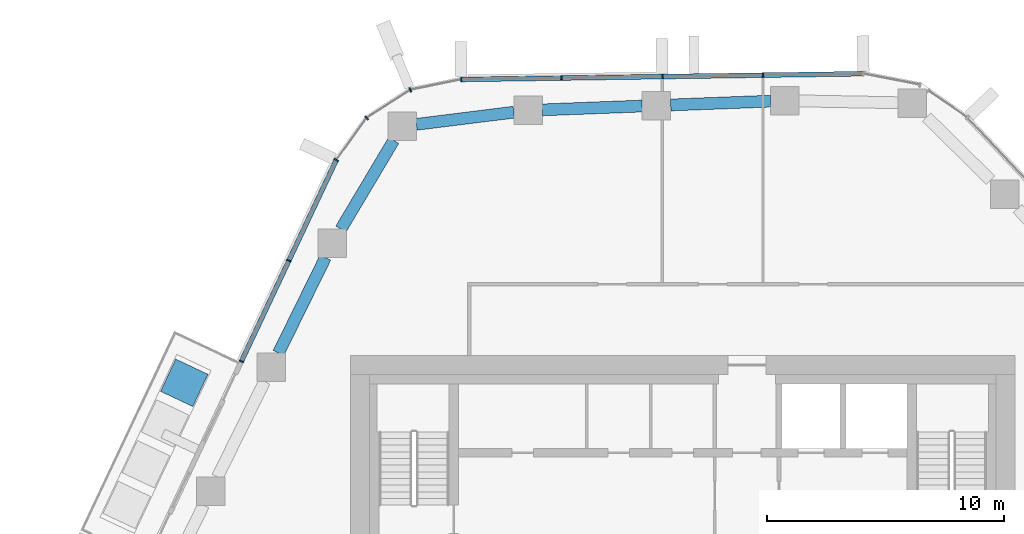
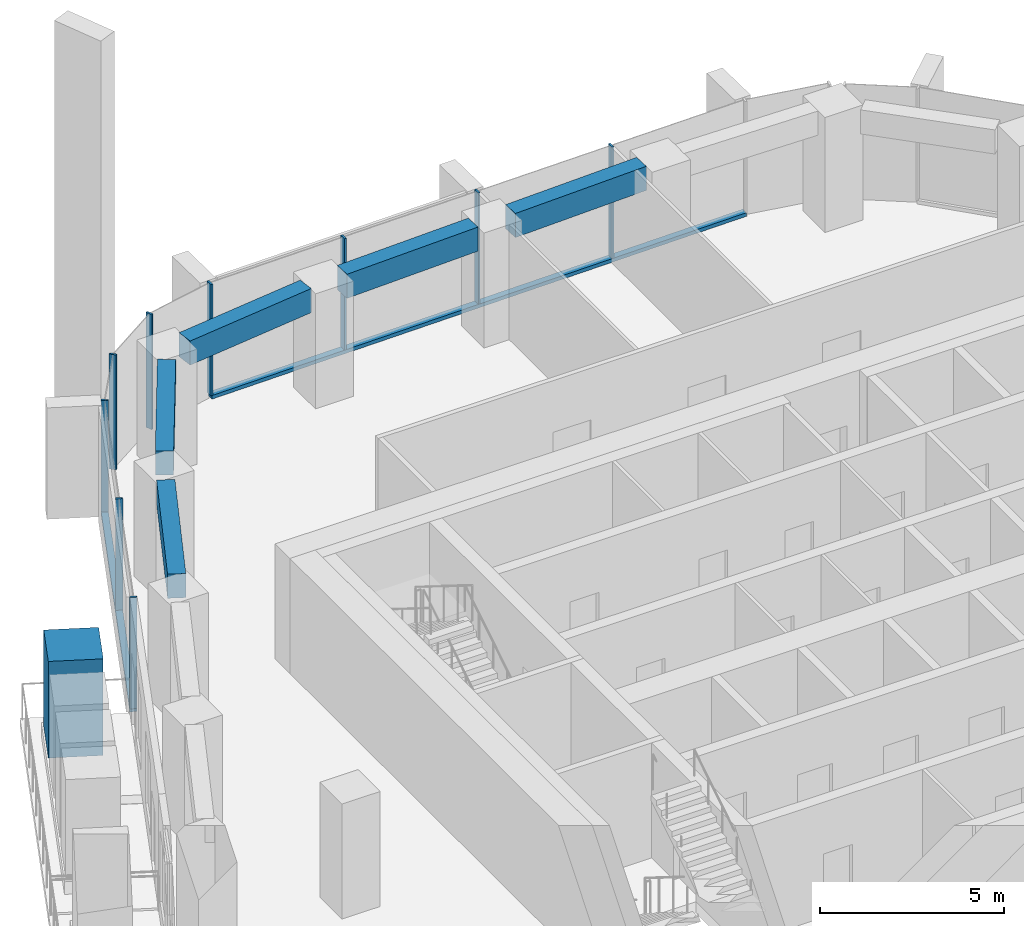
# One storey, part 6 of 18: 12 members, 5 beams, 3 elements without a shape of their own.
"""IFC4 building model written with IfcOpenShell, lengths in metres."""

from ifc_helpers import new_model, si_unit, direction, frame, origin, origin_2d, place, context, subcontext, project, spatial, rectangle, extrude, material, layer, layer_set, material_profile, profile_set, type_object, element, aggregate, save


model = new_model("IFC4")

# Units and contexts
model_context = context("Model", 3, precision=1e-05, world=origin(), true_north=direction((0.0, 1.0)))
body_context = subcontext(model_context, "Body", "Model", "MODEL_VIEW")
ifc_project = project(units=[si_unit("LENGTHUNIT", "METRE"), si_unit("AREAUNIT", "SQUARE_METRE"), si_unit("VOLUMEUNIT", "CUBIC_METRE"), si_unit("PLANEANGLEUNIT", "RADIAN"), si_unit("MASSUNIT", "GRAM", prefix="KILO")], contexts=[model_context])

# Site, building, storey
site_placement = place(None, origin())
site = spatial("IfcSite", under=ifc_project, at=site_placement, CompositionType="ELEMENT")
building_placement = place(site_placement, origin())
building = spatial("IfcBuilding", under=site, at=building_placement, Name="Dongbaek Canopy Tower", CompositionType="ELEMENT")
storey_placement = place(building_placement, frame((0.0, 0.0, 158.60009765625)))
storey = spatial("IfcBuildingStorey", under=building, at=storey_placement, Name="L34", CompositionType="ELEMENT", Elevation=158.60009765625)

# Curtain wall, members
ifc_material_1 = material(Name="Aluminium 6063-T6 pale anodised", Category="aluminium")
ifc_layer = layer(ifc_material_1, 0.199951171875)
ifc_layer_set = layer_set([ifc_layer], Name="CW-1 unitised tower curtain wall")
curtain_wall_type = type_object("IfcCurtainWallType", Name="CW-1 unitised tower curtain wall", PredefinedType="NOTDEFINED", material=ifc_layer_set)
curtain_wall_1_placement = place(storey_placement, origin())
curtain_wall_1 = element("IfcCurtainWall", 1, at=curtain_wall_1_placement, inside=storey, type_object=curtain_wall_type, Name="CW-1 curtain wall F1.1", PredefinedType="NOTDEFINED")
ifc_material_2 = material(Name="Aluminium 6063-T6 pale anodised", Category="aluminium")
ifc_material_profile_1 = material_profile(ifc_material_2, rectangle(XDim=0.199951171875, YDim=0.06005859375, at=origin_2d()), Name="CW-1 mullion 60 x 200")
ifc_profile_set_1 = profile_set([ifc_material_profile_1], Name="Aluminium 6063-T6 pale anodised")
member_type_1 = type_object("IfcMemberType", Name="CW-1 mullion 60 x 200", PredefinedType="MULLION", material=ifc_profile_set_1)
member_1_placement = place(storey_placement, frame((3.375244140625, 22.8095703125, 0.119873046875), z_axis=(0.0, 0.0, 1.0), x_axis=(-0.014277328293, 0.999898073754, 0.0)))
member_1 = element("IfcMember", 2, at=member_1_placement, type_object=member_type_1, Name="CW-1 mullion F1.1.2", PredefinedType="MULLION", context=body_context, shape_type="SweptSolid", body=[
    extrude(rectangle(XDim=0.199951171875, YDim=0.06005859375, at=origin_2d()), origin(), (0.0, 0.0, 1.0), 3.699951171875),
])
member_2_placement = place(storey_placement, frame((-0.864501953125, 22.7490234375, 0.119873046875), z_axis=(0.0, 0.0, 1.0), x_axis=(-0.014277328293, 0.999898073754, 0.0)))
member_2 = element("IfcMember", 3, at=member_2_placement, type_object=member_type_1, Name="CW-1 mullion F1.1.3", PredefinedType="MULLION", context=body_context, shape_type="SweptSolid", body=[
    extrude(rectangle(XDim=0.199951171875, YDim=0.06005859375, at=origin_2d()), origin(), (0.0, 0.0, 1.0), 3.699951171875),
])
member_3_placement = place(storey_placement, frame((-5.104248046875, 22.6884765625, 0.119873046875), z_axis=(0.0, 0.0, 1.0), x_axis=(-0.014277328293, 0.999898073754, 0.0)))
member_3 = element("IfcMember", 4, at=member_3_placement, type_object=member_type_1, Name="CW-1 mullion F1.1.4", PredefinedType="MULLION", context=body_context, shape_type="SweptSolid", body=[
    extrude(rectangle(XDim=0.199951171875, YDim=0.06005859375, at=origin_2d()), origin(), (0.0, 0.0, 1.0), 3.699951171875),
])
member_4_placement = place(storey_placement, frame((-9.334716796875, 22.628173828125, 0.119873046875), z_axis=(0.0, 0.0, 1.0), x_axis=(-0.014277328293, 0.999898073754, 0.0)))
member_4 = element("IfcMember", 5, at=member_4_placement, type_object=member_type_1, Name="CW-1 mullion F1.1.5", PredefinedType="MULLION", context=body_context, shape_type="SweptSolid", body=[
    extrude(rectangle(XDim=0.199951171875, YDim=0.06005859375, at=origin_2d()), origin(), (0.0, 0.0, 1.0), 3.699951171875),
])

curtain_wall_2_placement = place(storey_placement, origin())
curtain_wall_2 = element("IfcCurtainWall", 6, at=curtain_wall_2_placement, inside=storey, type_object=curtain_wall_type, Name="CW-1 curtain wall K2.1", PredefinedType="NOTDEFINED")
member_5_placement = place(storey_placement, frame((-11.482421875, 22.192138671875, 0.0), z_axis=(0.0, 0.0, 1.0), x_axis=(-0.376811935113, 0.926289784871, 0.0)))
member_5 = element("IfcMember", 7, at=member_5_placement, type_object=member_type_1, Name="CW-1 mullion K2.1.2", PredefinedType="MULLION", context=body_context, shape_type="SweptSolid", body=[
    extrude(rectangle(XDim=0.199951171875, YDim=0.06005859375, at=origin_2d()), origin(), (0.0, 0.0, 1.0), 3.81982421875),
])
member_6_placement = place(storey_placement, frame((-13.316650390625, 21.01025390625, 0.0), z_axis=(0.0, 0.0, 1.0), x_axis=(-0.687780008979, 0.725919182312, 0.0)))
member_6 = element("IfcMember", 8, at=member_6_placement, type_object=member_type_1, Name="CW-1 mullion K2.1.3", PredefinedType="MULLION", context=body_context, shape_type="SweptSolid", body=[
    extrude(rectangle(XDim=0.199951171875, YDim=0.06005859375, at=origin_2d()), origin(), (0.0, 0.0, 1.0), 3.81982421875),
])
member_7_placement = place(storey_placement, frame((-14.60107421875, 19.234619140625, 0.0), z_axis=(0.0, 0.0, 1.0), x_axis=(-0.810182611927, 0.586177562972, 0.0)))
member_7 = element("IfcMember", 9, at=member_7_placement, type_object=member_type_1, Name="CW-1 mullion K2.1.4", PredefinedType="MULLION", context=body_context, shape_type="SweptSolid", body=[
    extrude(rectangle(XDim=0.199951171875, YDim=0.06005859375, at=origin_2d()), origin(), (0.0, 0.0, 1.0), 3.81982421875),
])
aggregate(curtain_wall_2, [member_5, member_6, member_7])

curtain_wall_3_placement = place(storey_placement, origin())
curtain_wall_3 = element("IfcCurtainWall", 10, at=curtain_wall_3_placement, inside=storey, type_object=curtain_wall_type, Name="CW-1 curtain wall F2.1", PredefinedType="NOTDEFINED")
member_8_placement = place(storey_placement, frame((-16.59619140625, 15.000244140625, 0.119873046875), z_axis=(0.0, 0.0, 1.0), x_axis=(-0.904625717834, 0.426206887126, 0.0)))
member_8 = element("IfcMember", 11, at=member_8_placement, type_object=member_type_1, Name="CW-1 mullion F2.1.2", PredefinedType="MULLION", context=body_context, shape_type="SweptSolid", body=[
    extrude(rectangle(XDim=0.199951171875, YDim=0.06005859375, at=origin_2d()), origin(), (0.0, 0.0, 1.0), 3.699951171875),
])
member_9_placement = place(storey_placement, frame((-18.59521484375, 10.75732421875, 0.119873046875), z_axis=(0.0, 0.0, 1.0), x_axis=(-0.904625717834, 0.426206887126, 0.0)))
member_9 = element("IfcMember", 12, at=member_9_placement, type_object=member_type_1, Name="CW-1 mullion F2.1.3", PredefinedType="MULLION", context=body_context, shape_type="SweptSolid", body=[
    extrude(rectangle(XDim=0.199951171875, YDim=0.06005859375, at=origin_2d()), origin(), (0.0, 0.0, 1.0), 3.699951171875),
])

# Member
ifc_material_3 = material(Name="Aluminium 6063-T6 pale anodised", Category="aluminium")
ifc_material_profile_2 = material_profile(ifc_material_3, rectangle(XDim=0.199951171875, YDim=0.1201171875, at=origin_2d()), Name="CW-1 transom 120 x 200")
ifc_profile_set_2 = profile_set([ifc_material_profile_2], Name="Aluminium 6063-T6 pale anodised")
member_type_2 = type_object("IfcMemberType", Name="CW-1 transom 120 x 200", PredefinedType="USERDEFINED", material=ifc_profile_set_2)
member_10_placement = place(storey_placement, frame((7.604736328125, 22.869873046875, 0.059814453125), z_axis=(-0.999898221647, -0.014266967016, 0.0), x_axis=(0.014266967016, -0.999898221647, 0.0)))
member_10 = element("IfcMember", 13, at=member_10_placement, type_object=member_type_2, Name="CW-1 transom F1.1.1", ObjectType="TRANSOM", PredefinedType="USERDEFINED", context=body_context, shape_type="SweptSolid", body=[
    extrude(rectangle(XDim=0.199951171875, YDim=0.1201171875, at=origin_2d()), origin(), (0.0, 0.0, 1.0), 16.941162109375),
])

aggregate(curtain_wall_1, [member_1, member_2, member_3, member_4, member_10])

member_11_placement = place(storey_placement, frame((-14.60107421875, 19.234619140625, 0.059814453125), z_axis=(-0.426218553172, -0.904620221381, 0.0), x_axis=(0.904620221381, -0.426218553172, 0.0)))
member_11 = element("IfcMember", 14, at=member_11_placement, type_object=member_type_2, Name="CW-1 transom F2.1.1", ObjectType="TRANSOM", PredefinedType="USERDEFINED", context=body_context, shape_type="SweptSolid", body=[
    extrude(rectangle(XDim=0.199951171875, YDim=0.1201171875, at=origin_2d()), origin(), (0.0, 0.0, 1.0), 9.37109375),
])

aggregate(curtain_wall_3, [member_8, member_9, member_11])

# Beams
ifc_material_4 = material(Name="Concrete C70", Category="concrete")
ifc_material_profile_3 = material_profile(ifc_material_4, rectangle(XDim=0.5, YDim=0.800048828125, at=origin_2d()), Name="RC EDGE BEAM 500x800 C70")
ifc_profile_set_3 = profile_set([ifc_material_profile_3], Name="Concrete C70")
beam_type = type_object("IfcBeamType", Name="RC EDGE BEAM 500x800 C70", PredefinedType="BEAM", material=ifc_profile_set_3)
beam_1_placement = place(storey_placement, frame((-17.032958984375, 11.10498046875, 3.419921875), z_axis=(0.441228982876, 0.89739455351, 0.0), x_axis=(-0.89739455351, 0.441228982876, 0.0)))
element("IfcBeam", 15, at=beam_1_placement, inside=storey, type_object=beam_type, Name="EDGEBEAM:L34:11", PredefinedType="BEAM", context=body_context, shape_type="SweptSolid", body=[
    extrude(rectangle(XDim=0.5, YDim=0.800048828125, at=origin_2d()), origin(), (0.0, 0.0, 1.0), 4.478515625),
])
beam_2_placement = place(storey_placement, frame((-14.40478515625, 16.323974609375, 3.419921875), z_axis=(0.51151247975, 0.859275848061, 0.0), x_axis=(-0.859275848061, 0.51151247975, 0.0)))
element("IfcBeam", 16, at=beam_2_placement, inside=storey, type_object=beam_type, Name="EDGEBEAM:L34:12", PredefinedType="BEAM", context=body_context, shape_type="SweptSolid", body=[
    extrude(rectangle(XDim=0.5, YDim=0.800048828125, at=origin_2d()), origin(), (0.0, 0.0, 1.0), 4.34912109375),
])
beam_3_placement = place(storey_placement, frame((-11.222900390625, 20.73583984375, 3.419921875), z_axis=(0.992289687294, 0.123940213368, 0.0), x_axis=(-0.123940213368, 0.992289687294, 0.0)))
element("IfcBeam", 17, at=beam_3_placement, inside=storey, type_object=beam_type, Name="EDGEBEAM:L34:13", PredefinedType="BEAM", context=body_context, shape_type="SweptSolid", body=[
    extrude(rectangle(XDim=0.5, YDim=0.800048828125, at=origin_2d()), origin(), (0.0, 0.0, 1.0), 4.1328125),
])
beam_4_placement = place(storey_placement, frame((-5.922119140625, 21.345947265625, 3.419921875), z_axis=(0.999268092878, 0.038252824158, 0.0), x_axis=(-0.038252824158, 0.999268092878, 0.0)))
element("IfcBeam", 18, at=beam_4_placement, inside=storey, type_object=beam_type, Name="EDGEBEAM:L34:14", PredefinedType="BEAM", context=body_context, shape_type="SweptSolid", body=[
    extrude(rectangle(XDim=0.5, YDim=0.800048828125, at=origin_2d()), origin(), (0.0, 0.0, 1.0), 4.21240234375),
])
beam_5_placement = place(storey_placement, frame((-0.512939453125, 21.552978515625, 3.419921875), z_axis=(0.999276508887, 0.0380323387, 0.0), x_axis=(-0.0380323387, 0.999276508887, 0.0)))
element("IfcBeam", 19, at=beam_5_placement, inside=storey, type_object=beam_type, Name="EDGEBEAM:L34:15", PredefinedType="BEAM", context=body_context, shape_type="SweptSolid", body=[
    extrude(rectangle(XDim=0.5, YDim=0.800048828125, at=origin_2d()), origin(), (0.0, 0.0, 1.0), 4.2109375),
])

# Member
ifc_material_5 = material(Name="Concrete C40/50 planter mass with planting", Category="concrete")
ifc_material_profile_4 = material_profile(ifc_material_5, rectangle(XDim=1.5, YDim=1.5, at=origin_2d()), Name="Terrace PLANTER shrub mass 1500 x 1500")
ifc_profile_set_4 = profile_set([ifc_material_profile_4], Name="Concrete C40/50 planter mass with planting")
member_type_3 = type_object("IfcMemberType", Name="Terrace PLANTER shrub mass 1500 x 1500", PredefinedType="USERDEFINED", material=ifc_profile_set_4)
member_12_placement = place(storey_placement, frame((-21.001953125, 9.848876953125, 0.419921875), z_axis=(0.0, 0.0, 1.0), x_axis=(-0.904625717834, 0.426206887126, 0.0)))
element("IfcMember", 20, at=member_12_placement, inside=storey, type_object=member_type_3, Name="Planter shrubs L34 1.1", ObjectType="PLANTER", PredefinedType="USERDEFINED", context=body_context, shape_type="SweptSolid", body=[
    extrude(rectangle(XDim=1.5, YDim=1.5, at=origin_2d()), origin(), (0.0, 0.0, 1.0), 3.2099609375),
])

save(model, "model.ifc")
